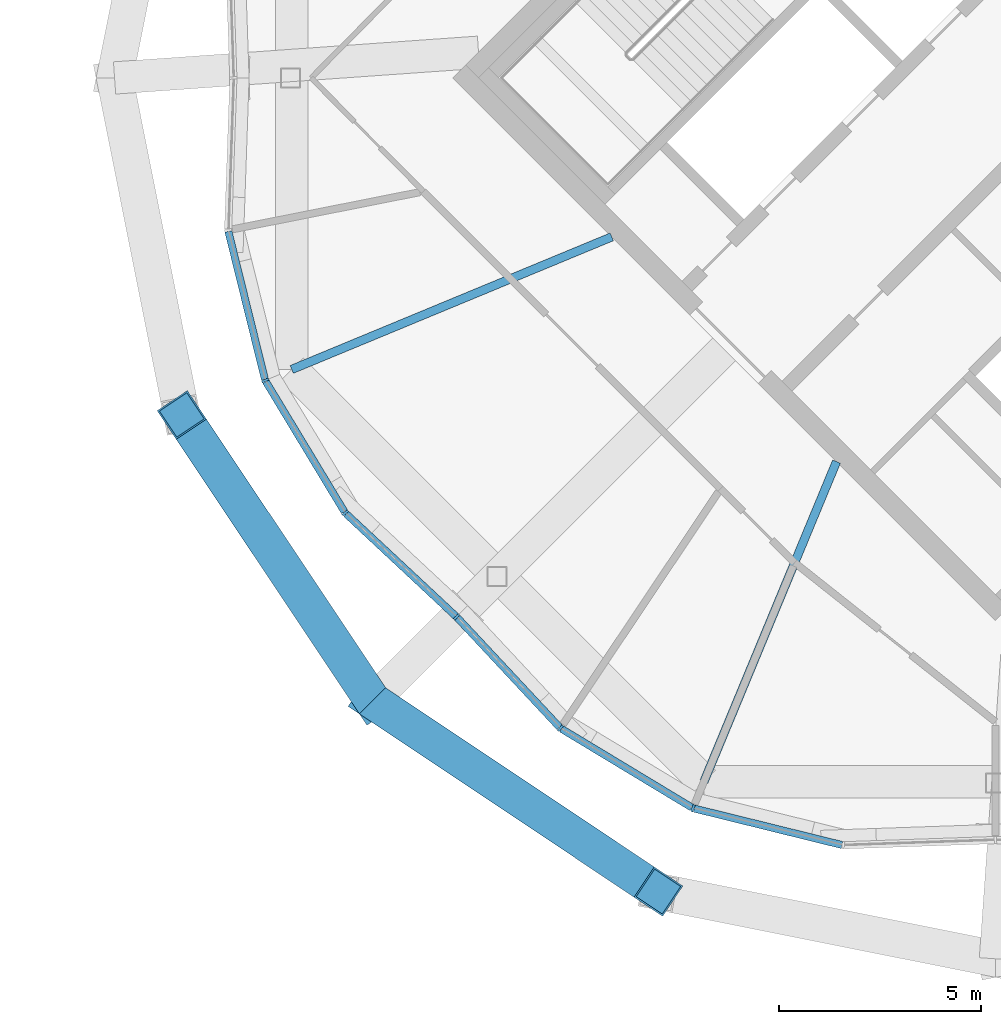
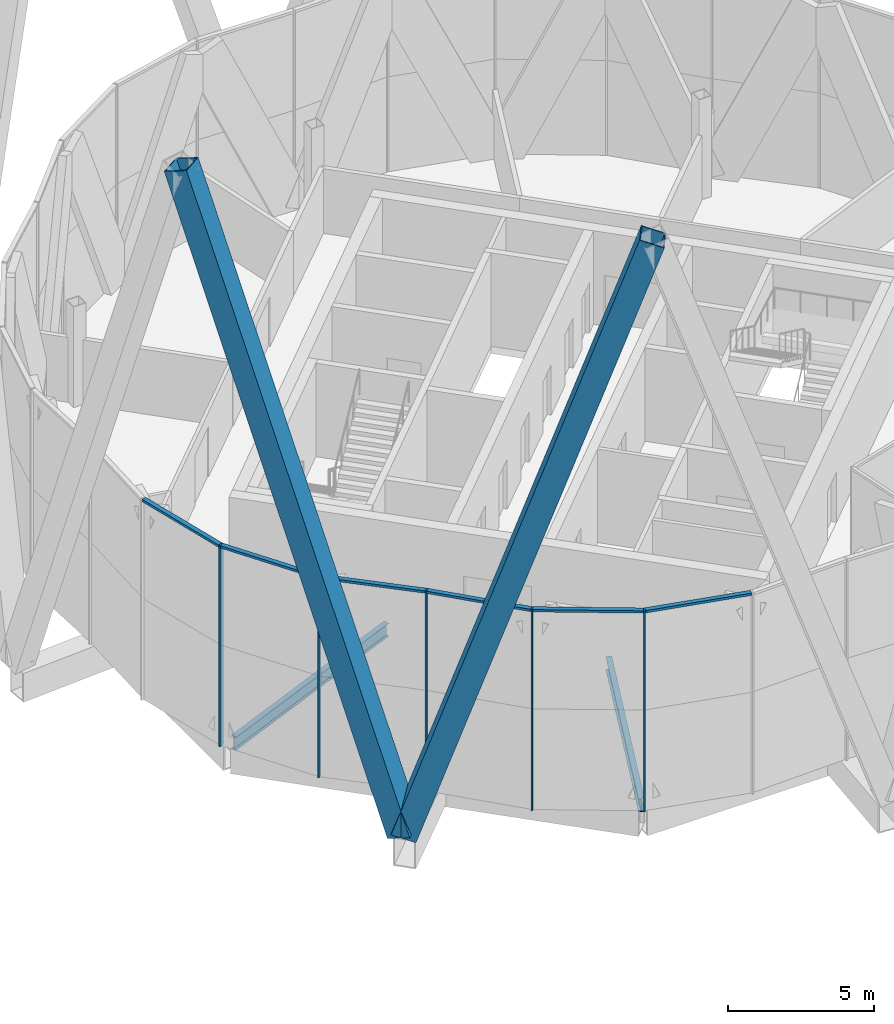
# One storey, part 11 of 38: 13 members, 2 beams, 2 elements without a shape of their own.
"""IFC4 building model written with IfcOpenShell, lengths in metres."""

from ifc_helpers import new_model, si_unit, direction, frame, origin, origin_2d, place, context, subcontext, project, spatial, rectangle, hollow_rectangle, i_section, extrude, material, material_profile, profile_set, type_object, element, aggregate, save


model = new_model("IFC4")

# Units and contexts
model_context = context("Model", 3, precision=1e-05, world=origin(), true_north=direction((0.0, 1.0)))
body_context = subcontext(model_context, "Body", "Model", "MODEL_VIEW")
ifc_project = project(units=[si_unit("LENGTHUNIT", "METRE"), si_unit("AREAUNIT", "SQUARE_METRE"), si_unit("VOLUMEUNIT", "CUBIC_METRE"), si_unit("PLANEANGLEUNIT", "RADIAN"), si_unit("MASSUNIT", "GRAM", prefix="KILO")], contexts=[model_context])

# Site, building, storey
site_placement = place(None, origin())
site = spatial("IfcSite", under=ifc_project, at=site_placement, CompositionType="ELEMENT")
building_placement = place(site_placement, origin())
building = spatial("IfcBuilding", under=site, at=building_placement, Name="Ogive Gate Towers", CompositionType="ELEMENT")
storey_placement = place(building_placement, frame((0.0, 0.0, 268.800048828125)))
storey = spatial("IfcBuildingStorey", under=building, at=storey_placement, Name="L63", CompositionType="ELEMENT", Elevation=268.800048828125)

# Members
ifc_material_1 = material(Name="Steel SM460", Category="steel")
ifc_material_profile_1 = material_profile(ifc_material_1, hollow_rectangle(XDim=0.89990234375, YDim=0.89990234375, WallThickness=0.0400390625, at=origin_2d()), Name="BX 900x900x40")
ifc_profile_set_1 = profile_set([ifc_material_profile_1], Name="Steel SM460")
member_type_1 = type_object("IfcMemberType", Name="Diagrid diagonal BX 900x900x40", PredefinedType="BRACE", material=ifc_profile_set_1)
for number, where, z_axis, x_axis, name in (
    (1, (20.577880859375, -15.422119140625, 0.0), (-0.177577062234, 0.266099402159, 0.947447885184), (-0.831794180755, -0.555084174574, 0.0), "T2/L63/SDG011"),
    (2, (20.577880859375, -15.422119140625, 0.0), (0.266099402159, -0.177577062234, 0.947447885184), (0.555084174574, 0.831794180755, 0.0), "T2/L63/SDG012"),
):
    element("IfcMember", number, at=place(storey_placement, frame(where, z_axis=z_axis, x_axis=x_axis)), inside=storey, type_object=member_type_1, Name=name, PredefinedType="BRACE", context=body_context, shape_type="SweptSolid", body=[
        extrude(hollow_rectangle(XDim=0.89990234375, YDim=0.89990234375, WallThickness=0.0400390625, at=origin_2d()), origin(), (0.0, 0.0, 1.0), 26.59765625),
    ])

# Beams
ifc_material_2 = material(Name="Steel SM355", Category="steel")
ifc_material_profile_2 = material_profile(ifc_material_2, i_section(OverallWidth=0.2099609375, OverallDepth=0.550048828125, WebThickness=0.010986328125, FlangeThickness=0.01708984375, FilletRadius=0.02392578125, at=origin_2d()), Name="IPE 550")
ifc_profile_set_2 = profile_set([ifc_material_profile_2], Name="Steel SM355")
beam_type = type_object("IfcBeamType", Name="Radial floor beam IPE 550", PredefinedType="BEAM", material=ifc_profile_set_2)
for number, where, z_axis, x_axis, name in (
    (3, (26.5, -3.93505859375, -0.574951171875), (-0.923874941579, -0.382694515667, 0.0), (0.382694515667, -0.923874941579, 0.0), "T2/L63/SBM001"),
    (4, (32.06494140625, -9.5, -0.574951171875), (-0.382694515667, -0.923874941579, 0.0), (0.923874941579, -0.382694515667, 0.0), "T2/L63/SBM003"),
):
    element("IfcBeam", number, at=place(storey_placement, frame(where, z_axis=z_axis, x_axis=x_axis)), inside=storey, type_object=beam_type, Name=name, PredefinedType="BEAM", context=body_context, shape_type="SweptSolid", body=[
        extrude(i_section(OverallWidth=0.2099609375, OverallDepth=0.550048828125, WebThickness=0.010986328125, FlangeThickness=0.01708984375, FilletRadius=0.02392578125, at=origin_2d()), origin(), (0.0, 0.0, 1.0), 8.5771484375),
    ])

# Curtain wall, members
ifc_material_3 = material(Name="Pale metal aluminium", Category="aluminium")
curtain_wall_type = type_object("IfcCurtainWallType", Name="Tower unitised wall, high zone", PredefinedType="NOTDEFINED", material=ifc_material_3)
curtain_wall_1_placement = place(storey_placement, origin())
curtain_wall_1 = element("IfcCurtainWall", 5, at=curtain_wall_1_placement, inside=storey, type_object=curtain_wall_type, Name="CW2 T2 ECW07", PredefinedType="NOTDEFINED")
ifc_material_profile_3 = material_profile(ifc_material_3, rectangle(XDim=0.179931640625, YDim=0.06005859375, at=origin_2d()), Name="60 x 180 aluminium box")
ifc_profile_set_3 = profile_set([ifc_material_profile_3], Name="Pale metal aluminium")
member_type_2 = type_object("IfcMemberType", Name="Tower unitised wall, high zone mullion 60 x 180", PredefinedType="MULLION", material=ifc_profile_set_3)
member_1_placement = place(storey_placement, frame((22.656982421875, -13.343505859375, -0.300048828125), z_axis=(0.0, 0.0, 1.0), x_axis=(0.682253609109, 0.73111559473, 0.0)))
member_1 = element("IfcMember", 6, at=member_1_placement, type_object=member_type_2, Name="CW2 mullion", PredefinedType="MULLION", context=body_context, shape_type="SweptSolid", body=[
    extrude(rectangle(XDim=0.179931640625, YDim=0.06005859375, at=origin_2d()), origin(), (0.0, 0.0, 1.0), 8.39990234375),
])
member_2_placement = place(storey_placement, frame((19.899658203125, -10.770263671875, -0.300048828125), z_axis=(0.0, 0.0, 1.0), x_axis=(0.776563492267, 0.630039000759, 0.0)))
member_2 = element("IfcMember", 7, at=member_2_placement, type_object=member_type_2, Name="CW2 mullion", PredefinedType="MULLION", context=body_context, shape_type="SweptSolid", body=[
    extrude(rectangle(XDim=0.179931640625, YDim=0.06005859375, at=origin_2d()), origin(), (0.0, 0.0, 1.0), 8.39990234375),
])
member_3_placement = place(storey_placement, frame((17.918701171875, -7.489501953125, -0.300048828125), z_axis=(0.0, 0.0, 1.0), x_axis=(0.923879532511, 0.382683432365, 0.0)))
member_3 = element("IfcMember", 8, at=member_3_placement, type_object=member_type_2, Name="CW2 mullion", PredefinedType="MULLION", context=body_context, shape_type="SweptSolid", body=[
    extrude(rectangle(XDim=0.179931640625, YDim=0.06005859375, at=origin_2d()), origin(), (0.0, 0.0, 1.0), 8.39990234375),
])

curtain_wall_2_placement = place(storey_placement, origin())
curtain_wall_2 = element("IfcCurtainWall", 9, at=curtain_wall_2_placement, inside=storey, type_object=curtain_wall_type, Name="CW2 T2 ECW08", PredefinedType="NOTDEFINED")
member_4_placement = place(storey_placement, frame((28.510498046875, -18.081298828125, -0.300048828125), z_axis=(0.0, 0.0, 1.0), x_axis=(0.382683432365, 0.923879532511, 0.0)))
member_4 = element("IfcMember", 10, at=member_4_placement, type_object=member_type_2, Name="CW2 mullion", PredefinedType="MULLION", context=body_context, shape_type="SweptSolid", body=[
    extrude(rectangle(XDim=0.179931640625, YDim=0.06005859375, at=origin_2d()), origin(), (0.0, 0.0, 1.0), 8.39990234375),
])
member_5_placement = place(storey_placement, frame((25.229736328125, -16.100341796875, -0.300048828125), z_axis=(0.0, 0.0, 1.0), x_axis=(0.630039000759, 0.776563492267, 0.0)))
member_5 = element("IfcMember", 11, at=member_5_placement, type_object=member_type_2, Name="CW2 mullion", PredefinedType="MULLION", context=body_context, shape_type="SweptSolid", body=[
    extrude(rectangle(XDim=0.179931640625, YDim=0.06005859375, at=origin_2d()), origin(), (0.0, 0.0, 1.0), 8.39990234375),
])

# Member
ifc_material_profile_4 = material_profile(ifc_material_3, rectangle(XDim=0.179931640625, YDim=0.10009765625, at=origin_2d()), Name="100 x 180 aluminium box")
ifc_profile_set_4 = profile_set([ifc_material_profile_4], Name="Pale metal aluminium")
member_type_3 = type_object("IfcMemberType", Name="Tower unitised wall, high zone transom 100 x 180", PredefinedType="USERDEFINED", material=ifc_profile_set_4)
member_6_placement = place(storey_placement, frame((22.635009765625, -13.322998046875, 8.050048828125), z_axis=(-0.731099032863, 0.682271356681, 0.0), x_axis=(-0.682271356681, -0.731099032863, 0.0)))
member_6 = element("IfcMember", 12, at=member_6_placement, type_object=member_type_3, Name="CW2 transom", ObjectType="TRANSOM", PredefinedType="USERDEFINED", context=body_context, shape_type="SweptSolid", body=[
    extrude(rectangle(XDim=0.179931640625, YDim=0.10009765625, at=origin_2d()), origin(), (0.0, 0.0, 1.0), 3.7099609375),
])

member_7_placement = place(storey_placement, frame((19.88330078125, -10.743408203125, 8.050048828125), z_axis=(-0.516912981046, 0.85603794894, 0.0), x_axis=(-0.85603794894, -0.516912981046, 0.0)))
member_7 = element("IfcMember", 13, at=member_7_placement, type_object=member_type_3, Name="CW2 transom", ObjectType="TRANSOM", PredefinedType="USERDEFINED", context=body_context, shape_type="SweptSolid", body=[
    extrude(rectangle(XDim=0.179931640625, YDim=0.10009765625, at=origin_2d()), origin(), (0.0, 0.0, 1.0), 3.76953125),
])

member_8_placement = place(storey_placement, frame((17.910888671875, -7.458984375, 8.050048828125), z_axis=(-0.239761155023, 0.9708319054, 0.0), x_axis=(-0.9708319054, -0.239761155023, 0.0)))
member_8 = element("IfcMember", 14, at=member_8_placement, type_object=member_type_3, Name="CW2 transom", ObjectType="TRANSOM", PredefinedType="USERDEFINED", context=body_context, shape_type="SweptSolid", body=[
    extrude(rectangle(XDim=0.179931640625, YDim=0.10009765625, at=origin_2d()), origin(), (0.0, 0.0, 1.0), 3.76953125),
])

aggregate(curtain_wall_1, [member_1, member_2, member_6, member_3, member_7, member_8])

member_9_placement = place(storey_placement, frame((32.20068359375, -18.992919921875, 8.050048828125), z_axis=(-0.9708319054, 0.239761155023, 0.0), x_axis=(-0.239761155023, -0.9708319054, 0.0)))
member_9 = element("IfcMember", 15, at=member_9_placement, type_object=member_type_3, Name="CW2 transom", ObjectType="TRANSOM", PredefinedType="USERDEFINED", context=body_context, shape_type="SweptSolid", body=[
    extrude(rectangle(XDim=0.179931640625, YDim=0.10009765625, at=origin_2d()), origin(), (0.0, 0.0, 1.0), 3.76953125),
])

member_10_placement = place(storey_placement, frame((28.4833984375, -18.065185546875, 8.050048828125), z_axis=(-0.85603794894, 0.516912981046, 0.0), x_axis=(-0.516912981046, -0.85603794894, 0.0)))
member_10 = element("IfcMember", 16, at=member_10_placement, type_object=member_type_3, Name="CW2 transom", ObjectType="TRANSOM", PredefinedType="USERDEFINED", context=body_context, shape_type="SweptSolid", body=[
    extrude(rectangle(XDim=0.179931640625, YDim=0.10009765625, at=origin_2d()), origin(), (0.0, 0.0, 1.0), 3.76953125),
])

member_11_placement = place(storey_placement, frame((25.208251953125, -16.077392578125, 8.050048828125), z_axis=(-0.682271356681, 0.731099032863, 0.0), x_axis=(-0.731099032863, -0.682271356681, 0.0)))
member_11 = element("IfcMember", 17, at=member_11_placement, type_object=member_type_3, Name="CW2 transom", ObjectType="TRANSOM", PredefinedType="USERDEFINED", context=body_context, shape_type="SweptSolid", body=[
    extrude(rectangle(XDim=0.179931640625, YDim=0.10009765625, at=origin_2d()), origin(), (0.0, 0.0, 1.0), 3.7099609375),
])

aggregate(curtain_wall_2, [member_4, member_9, member_5, member_10, member_11])

save(model, "model.ifc")
